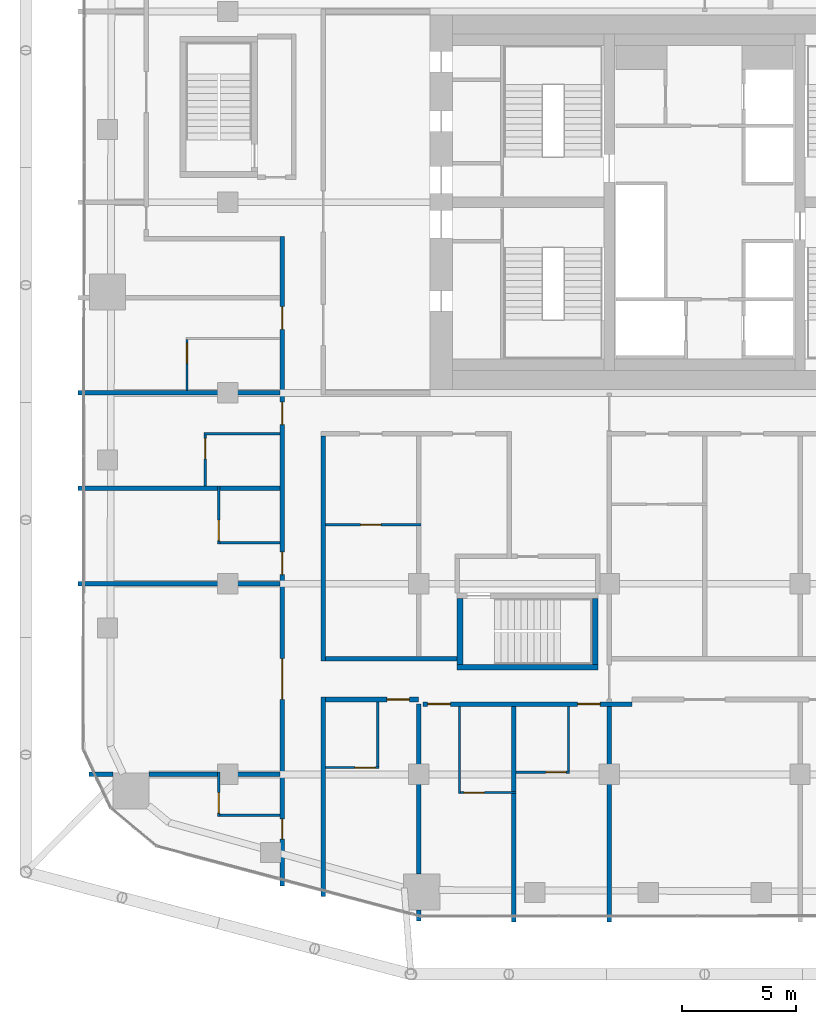
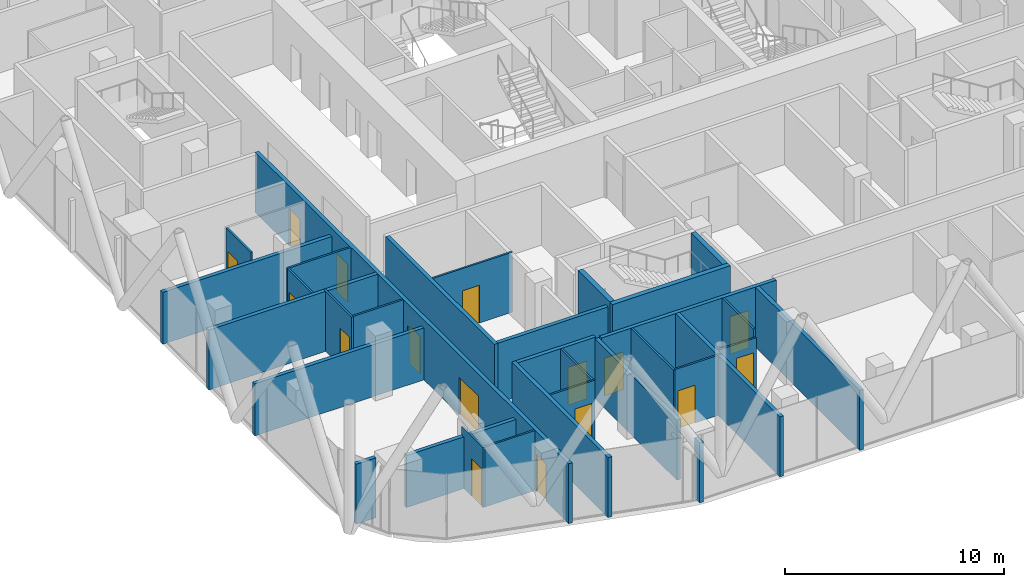
# One storey, part 24 of 33: 32 walls, 16 doors, 16 openings.
"""IFC4 building model written with IfcOpenShell, lengths in metres."""

from ifc_helpers import new_model, si_unit, direction, frame, frame_2d, origin, place, context, subcontext, project, spatial, rectangle, extrude, material, layer, layer_set, type_object, element, fill, save


model = new_model("IFC4")

# Units and contexts
model_context = context("Model", 3, precision=1e-05, world=origin(), true_north=direction((0.0, 1.0)))
body_context = subcontext(model_context, "Body", "Model", "MODEL_VIEW")
ifc_project = project(units=[si_unit("LENGTHUNIT", "METRE"), si_unit("AREAUNIT", "SQUARE_METRE"), si_unit("VOLUMEUNIT", "CUBIC_METRE"), si_unit("PLANEANGLEUNIT", "RADIAN"), si_unit("MASSUNIT", "GRAM", prefix="KILO")], contexts=[model_context])

# Site, building, storey
site_placement = place(None, origin())
site = spatial("IfcSite", under=ifc_project, at=site_placement, CompositionType="ELEMENT")
building_placement = place(site_placement, origin())
building = spatial("IfcBuilding", under=site, at=building_placement, Name="Marenta Gate Hotel Tower", CompositionType="ELEMENT")
storey_placement = place(building_placement, frame((0.0, 0.0, 122.89990234375)))
storey = spatial("IfcBuildingStorey", under=building, at=storey_placement, Name="L27", CompositionType="ELEMENT", Elevation=122.89990234375)

# Walls
ifc_material_1 = material(Name="Concrete blockwork", Category="masonry")
ifc_layer_1 = layer(ifc_material_1, 0.199951171875)
ifc_layer_set_1 = layer_set([ifc_layer_1], Name="Concrete blockwork")
wall_type_1 = type_object("IfcWallType", Name="Compartment wall 200 REI 180", PredefinedType="PARTITIONING", material=ifc_layer_set_1)
wall_1_placement = place(storey_placement, frame((-4.199951171875, -23.300048828125, 0.0), z_axis=(0.0, 0.0, 1.0), x_axis=(0.0, 1.0, 0.0)))
element("IfcWall", 1, at=wall_1_placement, inside=storey, type_object=wall_type_1, Name="L27-PTN-W070", PredefinedType="PARTITIONING", context=body_context, shape_type="SweptSolid", body=[
    extrude(rectangle(XDim=9.5, YDim=0.199951171875, at=frame_2d((4.75, 0.0))), origin(), (0.0, 0.0, 1.0), 3.340087890625),
])
ifc_material_2 = material(Name="Concrete C40", Category="concrete")
ifc_layer_2 = layer(ifc_material_2, 0.25)
ifc_layer_set_2 = layer_set([ifc_layer_2], Name="Concrete C40")
wall_type_2 = type_object("IfcWallType", Name="Remote stair enclosure wall 250 REI 180", PredefinedType="SHEAR", material=ifc_layer_set_2)
wall_2_placement = place(storey_placement, frame((-10.89990234375, -12.074951171875, 0.10009765625), z_axis=(0.0, 0.0, 1.0), x_axis=(1.0, 0.0, 0.0)))
element("IfcWall", 2, at=wall_2_placement, inside=storey, type_object=wall_type_2, Name="L27-RS-Z2-1-W1", PredefinedType="SHEAR", context=body_context, shape_type="SweptSolid", body=[
    extrude(rectangle(XDim=6.199951171875, YDim=0.25, at=frame_2d((3.10009765625, 0.0))), origin(), (0.0, 0.0, 1.0), 3.60009765625),
])
for number, where, z_axis, x_axis, name in (
    (3, (-10.77490234375, -11.949951171875, 0.10009765625), (0.0, 0.0, 1.0), (0.0, 1.0, 0.0), "L27-RS-Z2-1-W3"),
    (4, (-4.824951171875, -11.949951171875, 0.10009765625), (0.0, 0.0, 1.0), (0.0, 1.0, 0.0), "L27-RS-Z2-1-W4"),
):
    element("IfcWall", number, at=place(storey_placement, frame(where, z_axis=z_axis, x_axis=x_axis)), inside=storey, type_object=wall_type_2, Name=name, PredefinedType="SHEAR", context=body_context, shape_type="SweptSolid", body=[
        extrude(rectangle(XDim=2.89990234375, YDim=0.25, at=frame_2d((1.449951171875, 0.0))), origin(), (0.0, 0.0, 1.0), 3.60009765625),
    ])

# Wall, openings, doors
ifc_material_3 = material(Name="Gypsum board on steel stud", Category="steel")
ifc_layer_3 = layer(ifc_material_3, 0.199951171875)
ifc_layer_set_3 = layer_set([ifc_layer_3], Name="Gypsum board on steel stud")
wall_type_3 = type_object("IfcWallType", Name="Room corridor wall 200 EI 60", PredefinedType="PARTITIONING", material=ifc_layer_set_3)
wall_3_placement = place(storey_placement, frame((-12.39990234375, -13.699951171875, 0.0), z_axis=(0.0, 0.0, 1.0), x_axis=(1.0, 0.0, 0.0)))
wall_3 = element("IfcWall", 5, at=wall_3_placement, inside=storey, type_object=wall_type_3, Name="L27-PTN-W025", PredefinedType="PARTITIONING", context=body_context, shape_type="SweptSolid", body=[
    extrude(rectangle(XDim=9.199951171875, YDim=0.199951171875, at=frame_2d((4.60009765625, 0.0))), origin(), (0.0, 0.0, 1.0), 3.340087890625),
])
opening_1_placement = place(wall_3_placement, frame((0.199951171875, 0.0, 0.0)))
opening_1 = element("IfcOpeningElement", 6, at=opening_1_placement, cuts=wall_3, Name="Opening G09-43", PredefinedType="OPENING", context=body_context, shape_type="SweptSolid", body=[
    extrude(rectangle(XDim=1.0, YDim=2.10009765625, at=frame_2d((0.5, 1.050048828125))), frame((0.0, 0.10009765625, 0.0), z_axis=(0.0, -1.0, 0.0), x_axis=(1.0, 0.0, 0.0)), (0.0, 0.0, 1.0), 0.199951171875),
])
opening_2_placement = place(wall_3_placement, frame((6.800048828125, 0.0, 0.0)))
opening_2 = element("IfcOpeningElement", 7, at=opening_2_placement, cuts=wall_3, Name="Opening G09-45", PredefinedType="OPENING", context=body_context, shape_type="SweptSolid", body=[
    extrude(rectangle(XDim=1.0, YDim=2.10009765625, at=frame_2d((0.5, 1.050048828125))), frame((0.0, 0.10009765625, 0.0), z_axis=(0.0, -1.0, 0.0), x_axis=(1.0, 0.0, 0.0)), (0.0, 0.0, 1.0), 0.199951171875),
])
ifc_material_4 = material(Name="Timber door leaf", Category="wood")
door_type_1 = type_object("IfcDoorType", Name="Guest room door 1000x2100 EI 30", OperationType="NOTDEFINED", PredefinedType="DOOR", material=ifc_material_4)
door_1_placement = place(opening_1_placement, origin())
door_1 = element("IfcDoor", 8, at=door_1_placement, inside=storey, type_object=door_type_1, Name="L27-PD-D043", OperationType="SINGLE_SWING_RIGHT", OverallHeight=2.10009765625, OverallWidth=1.0, PredefinedType="DOOR", context=body_context, shape_type="SweptSolid", body=[
    extrude(rectangle(XDim=1.0, YDim=2.10009765625, at=frame_2d((0.5, 1.050048828125))), frame((0.0, 0.02490234375, 0.0), z_axis=(0.0, -1.0, 0.0), x_axis=(1.0, 0.0, 0.0)), (0.0, 0.0, 1.0), 0.050048828125),
])
fill(opening_1, door_1)
door_2_placement = place(opening_2_placement, origin())
door_2 = element("IfcDoor", 9, at=door_2_placement, inside=storey, type_object=door_type_1, Name="L27-PD-D045", OperationType="SINGLE_SWING_LEFT", OverallHeight=2.10009765625, OverallWidth=1.0, PredefinedType="DOOR", context=body_context, shape_type="SweptSolid", body=[
    extrude(rectangle(XDim=1.0, YDim=2.10009765625, at=frame_2d((0.5, 1.050048828125))), frame((0.0, 0.02490234375, 0.0), z_axis=(0.0, -1.0, 0.0), x_axis=(1.0, 0.0, 0.0)), (0.0, 0.0, 1.0), 0.050048828125),
])
fill(opening_2, door_2)

# Wall, opening, door
wall_4_placement = place(storey_placement, frame((-16.699951171875, -13.5, 0.0), z_axis=(0.0, 0.0, 1.0), x_axis=(1.0, 0.0, 0.0)))
wall_4 = element("IfcWall", 10, at=wall_4_placement, inside=storey, type_object=wall_type_3, Name="L27-PTN-W026", PredefinedType="PARTITIONING", context=body_context, shape_type="SweptSolid", body=[
    extrude(rectangle(XDim=4.099853515625, YDim=0.199951171875, at=frame_2d((2.0498046875, 0.0))), origin(), (0.0, 0.0, 1.0), 3.340087890625),
])
opening_3_placement = place(wall_4_placement, frame((2.699951171875, 0.0, 0.0)))
opening_3 = element("IfcOpeningElement", 11, at=opening_3_placement, cuts=wall_4, Name="Opening G09-41", PredefinedType="OPENING", context=body_context, shape_type="SweptSolid", body=[
    extrude(rectangle(XDim=1.0, YDim=2.10009765625, at=frame_2d((0.5, 1.050048828125))), frame((0.0, 0.10009765625, 0.0), z_axis=(0.0, -1.0, 0.0), x_axis=(1.0, 0.0, 0.0)), (0.0, 0.0, 1.0), 0.199951171875),
])
door_3_placement = place(opening_3_placement, origin())
door_3 = element("IfcDoor", 12, at=door_3_placement, inside=storey, type_object=door_type_1, Name="L27-PD-D041", OperationType="SINGLE_SWING_LEFT", OverallHeight=2.10009765625, OverallWidth=1.0, PredefinedType="DOOR", context=body_context, shape_type="SweptSolid", body=[
    extrude(rectangle(XDim=1.0, YDim=2.10009765625, at=frame_2d((0.5, 1.050048828125))), frame((0.0, 0.02490234375, 0.0), z_axis=(0.0, -1.0, 0.0), x_axis=(1.0, 0.0, 0.0)), (0.0, 0.0, 1.0), 0.050048828125),
])
fill(opening_3, door_3)

# Walls
wall_5_placement = place(storey_placement, frame((-16.699951171875, -11.699951171875, 0.0), z_axis=(0.0, 0.0, 1.0), x_axis=(1.0, 0.0, 0.0)))
element("IfcWall", 13, at=wall_5_placement, inside=storey, type_object=wall_type_3, Name="L27-PTN-W033", PredefinedType="PARTITIONING", context=body_context, shape_type="SweptSolid", body=[
    extrude(rectangle(XDim=5.800048828125, YDim=0.199951171875, at=frame_2d((2.89990234375, 0.0))), origin(), (0.0, 0.0, 1.0), 3.340087890625),
])
wall_6_placement = place(storey_placement, frame((-16.800048828125, -22.18603515625, 0.0), z_axis=(0.0, 0.0, 1.0), x_axis=(0.0, 1.0, 0.0)))
element("IfcWall", 14, at=wall_6_placement, inside=storey, type_object=wall_type_3, Name="L27-PTN-W097", PredefinedType="PARTITIONING", context=body_context, shape_type="SweptSolid", body=[
    extrude(rectangle(XDim=8.7861328125, YDim=0.199951171875, at=frame_2d((4.39306640625, 0.0))), origin(), (0.0, 0.0, 1.0), 3.340087890625),
])
wall_7_placement = place(storey_placement, frame((-16.800048828125, -11.800048828125, 0.0), z_axis=(0.0, 0.0, 1.0), x_axis=(0.0, 1.0, 0.0)))
element("IfcWall", 15, at=wall_7_placement, inside=storey, type_object=wall_type_3, Name="L27-PTN-W098", PredefinedType="PARTITIONING", context=body_context, shape_type="SweptSolid", body=[
    extrude(rectangle(XDim=9.900146484375, YDim=0.199951171875, at=frame_2d((4.9501953125, 0.0))), origin(), (0.0, 0.0, 1.0), 3.340087890625),
])

# Wall, openings, doors
wall_8_placement = place(storey_placement, frame((-18.60009765625, -21.7080078125, 0.0), z_axis=(0.0, 0.0, 1.0), x_axis=(0.0, 1.0, 0.0)))
wall_8 = element("IfcWall", 16, at=wall_8_placement, inside=storey, type_object=wall_type_3, Name="L27-PTN-W104", PredefinedType="PARTITIONING", context=body_context, shape_type="SweptSolid", body=[
    extrude(rectangle(XDim=28.60791015625, YDim=0.199951171875, at=frame_2d((14.303955078125, 0.0))), origin(), (0.0, 0.0, 1.0), 3.340087890625),
])
opening_4_placement = place(wall_8_placement, frame((2.053955078125, 0.0, 0.0)))
opening_4 = element("IfcOpeningElement", 17, at=opening_4_placement, cuts=wall_8, Name="Opening G09-54", PredefinedType="OPENING", context=body_context, shape_type="SweptSolid", body=[
    extrude(rectangle(XDim=0.89990234375, YDim=2.10009765625, at=frame_2d((0.449951171875, 1.050048828125))), frame((0.0, 0.10009765625, 0.0), z_axis=(0.0, -1.0, 0.0), x_axis=(1.0, 0.0, 0.0)), (0.0, 0.0, 1.0), 0.199951171875),
])
opening_5_placement = place(wall_8_placement, frame((8.2080078125, 0.0, 0.0)))
opening_5 = element("IfcOpeningElement", 18, at=opening_5_placement, cuts=wall_8, Name="Opening G09-56", PredefinedType="OPENING", context=body_context, shape_type="SweptSolid", body=[
    extrude(rectangle(XDim=1.800048828125, YDim=2.10009765625, at=frame_2d((0.89990234375, 1.050048828125))), frame((0.0, 0.10009765625, 0.0), z_axis=(0.0, -1.0, 0.0), x_axis=(1.0, 0.0, 0.0)), (0.0, 0.0, 1.0), 0.199951171875),
])
opening_6_placement = place(wall_8_placement, frame((13.7080078125, 0.0, 0.0)))
opening_6 = element("IfcOpeningElement", 19, at=opening_6_placement, cuts=wall_8, Name="Opening G09-57", PredefinedType="OPENING", context=body_context, shape_type="SweptSolid", body=[
    extrude(rectangle(XDim=1.0, YDim=2.10009765625, at=frame_2d((0.5, 1.050048828125))), frame((0.0, 0.10009765625, 0.0), z_axis=(0.0, -1.0, 0.0), x_axis=(1.0, 0.0, 0.0)), (0.0, 0.0, 1.0), 0.199951171875),
])
opening_7_placement = place(wall_8_placement, frame((20.30810546875, 0.0, 0.0)))
opening_7 = element("IfcOpeningElement", 20, at=opening_7_placement, cuts=wall_8, Name="Opening G09-59", PredefinedType="OPENING", context=body_context, shape_type="SweptSolid", body=[
    extrude(rectangle(XDim=1.0, YDim=2.10009765625, at=frame_2d((0.5, 1.050048828125))), frame((0.0, 0.10009765625, 0.0), z_axis=(0.0, -1.0, 0.0), x_axis=(1.0, 0.0, 0.0)), (0.0, 0.0, 1.0), 0.199951171875),
])
opening_8_placement = place(wall_8_placement, frame((24.508056640625, 0.0, 0.0)))
opening_8 = element("IfcOpeningElement", 21, at=opening_8_placement, cuts=wall_8, Name="Opening G09-61", PredefinedType="OPENING", context=body_context, shape_type="SweptSolid", body=[
    extrude(rectangle(XDim=1.0, YDim=2.10009765625, at=frame_2d((0.5, 1.050048828125))), frame((0.0, 0.10009765625, 0.0), z_axis=(0.0, -1.0, 0.0), x_axis=(1.0, 0.0, 0.0)), (0.0, 0.0, 1.0), 0.199951171875),
])
door_4_placement = place(opening_6_placement, origin())
door_4 = element("IfcDoor", 22, at=door_4_placement, inside=storey, type_object=door_type_1, Name="L27-PD-D057", OperationType="SINGLE_SWING_RIGHT", OverallHeight=2.10009765625, OverallWidth=1.0, PredefinedType="DOOR", context=body_context, shape_type="SweptSolid", body=[
    extrude(rectangle(XDim=1.0, YDim=2.10009765625, at=frame_2d((0.5, 1.050048828125))), frame((0.0, 0.02490234375, 0.0), z_axis=(0.0, -1.0, 0.0), x_axis=(1.0, 0.0, 0.0)), (0.0, 0.0, 1.0), 0.050048828125),
])
fill(opening_6, door_4)
door_5_placement = place(opening_7_placement, origin())
door_5 = element("IfcDoor", 23, at=door_5_placement, inside=storey, type_object=door_type_1, Name="L27-PD-D059", OperationType="SINGLE_SWING_RIGHT", OverallHeight=2.10009765625, OverallWidth=1.0, PredefinedType="DOOR", context=body_context, shape_type="SweptSolid", body=[
    extrude(rectangle(XDim=1.0, YDim=2.10009765625, at=frame_2d((0.5, 1.050048828125))), frame((0.0, 0.02490234375, 0.0), z_axis=(0.0, -1.0, 0.0), x_axis=(1.0, 0.0, 0.0)), (0.0, 0.0, 1.0), 0.050048828125),
])
fill(opening_7, door_5)
door_6_placement = place(opening_8_placement, origin())
door_6 = element("IfcDoor", 24, at=door_6_placement, inside=storey, type_object=door_type_1, Name="L27-PD-D061", OperationType="SINGLE_SWING_RIGHT", OverallHeight=2.10009765625, OverallWidth=1.0, PredefinedType="DOOR", context=body_context, shape_type="SweptSolid", body=[
    extrude(rectangle(XDim=1.0, YDim=2.10009765625, at=frame_2d((0.5, 1.050048828125))), frame((0.0, 0.02490234375, 0.0), z_axis=(0.0, -1.0, 0.0), x_axis=(1.0, 0.0, 0.0)), (0.0, 0.0, 1.0), 0.050048828125),
])
fill(opening_8, door_6)
ifc_material_5 = material(Name="Timber door leaf", Category="wood")
door_type_2 = type_object("IfcDoorType", Name="Guest room door 900x2100 EI 30", OperationType="NOTDEFINED", PredefinedType="DOOR", material=ifc_material_5)
door_7_placement = place(opening_4_placement, origin())
door_7 = element("IfcDoor", 25, at=door_7_placement, inside=storey, type_object=door_type_2, Name="L27-PD-D054", OperationType="SINGLE_SWING_LEFT", OverallHeight=2.10009765625, OverallWidth=0.89990234375, PredefinedType="DOOR", context=body_context, shape_type="SweptSolid", body=[
    extrude(rectangle(XDim=0.89990234375, YDim=2.10009765625, at=frame_2d((0.449951171875, 1.050048828125))), frame((0.0, 0.02490234375, 0.0), z_axis=(0.0, -1.0, 0.0), x_axis=(1.0, 0.0, 0.0)), (0.0, 0.0, 1.0), 0.050048828125),
])
fill(opening_4, door_7)
ifc_material_6 = material(Name="Timber door leaf", Category="wood")
door_type_3 = type_object("IfcDoorType", Name="Room amenity door 1800x2100 EI 30", OperationType="DOUBLE_DOOR_SINGLE_SWING", PredefinedType="DOOR", material=ifc_material_6)
door_8_placement = place(opening_5_placement, origin())
door_8 = element("IfcDoor", 26, at=door_8_placement, inside=storey, type_object=door_type_3, Name="L27-PD-D056", OperationType="DOUBLE_DOOR_SINGLE_SWING", OverallHeight=2.10009765625, OverallWidth=1.800048828125, PredefinedType="DOOR", context=body_context, shape_type="SweptSolid", body=[
    extrude(rectangle(XDim=1.800048828125, YDim=2.10009765625, at=frame_2d((0.89990234375, 1.050048828125))), frame((0.0, 0.02490234375, 0.0), z_axis=(0.0, -1.0, 0.0), x_axis=(1.0, 0.0, 0.0)), (0.0, 0.0, 1.0), 0.050048828125),
])
fill(opening_5, door_8)

# Wall
ifc_material_7 = material(Name="Gypsum board on steel stud", Category="steel")
ifc_layer_4 = layer(ifc_material_7, 0.10009765625)
ifc_layer_set_4 = layer_set([ifc_layer_4], Name="Gypsum board on steel stud")
wall_type_4 = type_object("IfcWallType", Name="Room partition 100", PredefinedType="PARTITIONING", material=ifc_layer_set_4)
wall_9_placement = place(storey_placement, frame((-21.35009765625, -18.60009765625, 0.0), z_axis=(0.0, 0.0, 1.0), x_axis=(1.0, 0.0, 0.0)))
element("IfcWall", 27, at=wall_9_placement, inside=storey, type_object=wall_type_4, Name="L27-PTN-W011", PredefinedType="PARTITIONING", context=body_context, shape_type="SweptSolid", body=[
    extrude(rectangle(XDim=2.650146484375, YDim=0.10009765625, at=frame_2d((1.3251953125, 0.0))), origin(), (0.0, 0.0, 1.0), 3.340087890625),
])

# Wall, opening, door
wall_10_placement = place(storey_placement, frame((-10.75, -17.60009765625, 0.0), z_axis=(0.0, 0.0, 1.0), x_axis=(1.0, 0.0, 0.0)))
wall_10 = element("IfcWall", 28, at=wall_10_placement, inside=storey, type_object=wall_type_4, Name="L27-PTN-W012", PredefinedType="PARTITIONING", context=body_context, shape_type="SweptSolid", body=[
    extrude(rectangle(XDim=2.449951171875, YDim=0.10009765625, at=frame_2d((1.22509765625, 0.0))), origin(), (0.0, 0.0, 1.0), 3.340087890625),
])
opening_9_placement = place(wall_10_placement, frame((0.14990234375, 0.0, 0.0)))
opening_9 = element("IfcOpeningElement", 29, at=opening_9_placement, cuts=wall_10, Name="Opening G09-44", PredefinedType="OPENING", context=body_context, shape_type="SweptSolid", body=[
    extrude(rectangle(XDim=0.89990234375, YDim=2.10009765625, at=frame_2d((0.449951171875, 1.050048828125))), frame((0.0, 0.050048828125, 0.0), z_axis=(0.0, -1.0, 0.0), x_axis=(1.0, 0.0, 0.0)), (0.0, 0.0, 1.0), 0.10009765625),
])
ifc_material_8 = material(Name="Timber door leaf", Category="wood")
door_type_4 = type_object("IfcDoorType", Name="Guest bathroom door 900x2100", OperationType="NOTDEFINED", PredefinedType="DOOR", material=ifc_material_8)
door_9_placement = place(opening_9_placement, origin())
door_9 = element("IfcDoor", 30, at=door_9_placement, inside=storey, type_object=door_type_4, Name="L27-PD-D044", OperationType="SINGLE_SWING_LEFT", OverallHeight=2.10009765625, OverallWidth=0.89990234375, PredefinedType="DOOR", context=body_context, shape_type="SweptSolid", body=[
    extrude(rectangle(XDim=0.89990234375, YDim=2.10009765625, at=frame_2d((0.449951171875, 1.050048828125))), frame((0.0, 0.02490234375, 0.0), z_axis=(0.0, -1.0, 0.0), x_axis=(1.0, 0.0, 0.0)), (0.0, 0.0, 1.0), 0.050048828125),
])
fill(opening_9, door_9)

wall_11_placement = place(storey_placement, frame((-8.300048828125, -16.699951171875, 0.0), z_axis=(0.0, 0.0, 1.0), x_axis=(1.0, 0.0, 0.0)))
wall_11 = element("IfcWall", 31, at=wall_11_placement, inside=storey, type_object=wall_type_4, Name="L27-PTN-W019", PredefinedType="PARTITIONING", context=body_context, shape_type="SweptSolid", body=[
    extrude(rectangle(XDim=2.35009765625, YDim=0.10009765625, at=frame_2d((1.175048828125, 0.0))), origin(), (0.0, 0.0, 1.0), 2.89013671875),
])
opening_10_placement = place(wall_11_placement, frame((1.300048828125, 0.0, 0.0)))
opening_10 = element("IfcOpeningElement", 32, at=opening_10_placement, cuts=wall_11, Name="Opening G09-46", PredefinedType="OPENING", context=body_context, shape_type="SweptSolid", body=[
    extrude(rectangle(XDim=0.89990234375, YDim=2.10009765625, at=frame_2d((0.449951171875, 1.050048828125))), frame((0.0, 0.050048828125, 0.0), z_axis=(0.0, -1.0, 0.0), x_axis=(1.0, 0.0, 0.0)), (0.0, 0.0, 1.0), 0.10009765625),
])
door_10_placement = place(opening_10_placement, origin())
door_10 = element("IfcDoor", 33, at=door_10_placement, inside=storey, type_object=door_type_4, Name="L27-PD-D046", OperationType="SINGLE_SWING_RIGHT", OverallHeight=2.10009765625, OverallWidth=0.89990234375, PredefinedType="DOOR", context=body_context, shape_type="SweptSolid", body=[
    extrude(rectangle(XDim=0.89990234375, YDim=2.10009765625, at=frame_2d((0.449951171875, 1.050048828125))), frame((0.0, 0.02490234375, 0.0), z_axis=(0.0, -1.0, 0.0), x_axis=(1.0, 0.0, 0.0)), (0.0, 0.0, 1.0), 0.050048828125),
])
fill(opening_10, door_10)

wall_12_placement = place(storey_placement, frame((-16.699951171875, -16.5, 0.0), z_axis=(0.0, 0.0, 1.0), x_axis=(1.0, 0.0, 0.0)))
wall_12 = element("IfcWall", 34, at=wall_12_placement, inside=storey, type_object=wall_type_4, Name="L27-PTN-W020", PredefinedType="PARTITIONING", context=body_context, shape_type="SweptSolid", body=[
    extrude(rectangle(XDim=2.349853515625, YDim=0.10009765625, at=frame_2d((1.1748046875, 0.0))), origin(), (0.0, 0.0, 1.0), 3.340087890625),
])
opening_11_placement = place(wall_12_placement, frame((1.300048828125, 0.0, 0.0)))
opening_11 = element("IfcOpeningElement", 35, at=opening_11_placement, cuts=wall_12, Name="Opening G09-42", PredefinedType="OPENING", context=body_context, shape_type="SweptSolid", body=[
    extrude(rectangle(XDim=0.89990234375, YDim=2.10009765625, at=frame_2d((0.449951171875, 1.050048828125))), frame((0.0, 0.050048828125, 0.0), z_axis=(0.0, -1.0, 0.0), x_axis=(1.0, 0.0, 0.0)), (0.0, 0.0, 1.0), 0.10009765625),
])
door_11_placement = place(opening_11_placement, origin())
door_11 = element("IfcDoor", 36, at=door_11_placement, inside=storey, type_object=door_type_4, Name="L27-PD-D042", OperationType="SINGLE_SWING_RIGHT", OverallHeight=2.10009765625, OverallWidth=0.89990234375, PredefinedType="DOOR", context=body_context, shape_type="SweptSolid", body=[
    extrude(rectangle(XDim=0.89990234375, YDim=2.10009765625, at=frame_2d((0.449951171875, 1.050048828125))), frame((0.0, 0.02490234375, 0.0), z_axis=(0.0, -1.0, 0.0), x_axis=(1.0, 0.0, 0.0)), (0.0, 0.0, 1.0), 0.050048828125),
])
fill(opening_11, door_11)

# Wall
wall_13_placement = place(storey_placement, frame((-21.35009765625, -6.60009765625, 0.0), z_axis=(0.0, 0.0, 1.0), x_axis=(1.0, 0.0, 0.0)))
element("IfcWall", 37, at=wall_13_placement, inside=storey, type_object=wall_type_4, Name="L27-PTN-W048", PredefinedType="PARTITIONING", context=body_context, shape_type="SweptSolid", body=[
    extrude(rectangle(XDim=2.650146484375, YDim=0.10009765625, at=frame_2d((1.3251953125, 0.0))), origin(), (0.0, 0.0, 1.0), 3.340087890625),
])

# Wall, opening, door
wall_14_placement = place(storey_placement, frame((-16.699951171875, -5.800048828125, 0.0), z_axis=(0.0, 0.0, 1.0), x_axis=(1.0, 0.0, 0.0)))
wall_14 = element("IfcWall", 38, at=wall_14_placement, inside=storey, type_object=wall_type_4, Name="L27-PTN-W050", PredefinedType="PARTITIONING", context=body_context, shape_type="SweptSolid", body=[
    extrude(rectangle(XDim=4.199951171875, YDim=0.10009765625, at=frame_2d((2.10009765625, 0.0))), origin(), (0.0, 0.0, 1.0), 3.340087890625),
])
opening_12_placement = place(wall_14_placement, frame((1.550048828125, 0.0, 0.0)))
opening_12 = element("IfcOpeningElement", 39, at=opening_12_placement, cuts=wall_14, Name="Opening G09-02", PredefinedType="OPENING", context=body_context, shape_type="SweptSolid", body=[
    extrude(rectangle(XDim=0.89990234375, YDim=2.10009765625, at=frame_2d((0.449951171875, 1.050048828125))), frame((0.0, 0.050048828125, 0.0), z_axis=(0.0, -1.0, 0.0), x_axis=(1.0, 0.0, 0.0)), (0.0, 0.0, 1.0), 0.10009765625),
])
ifc_material_9 = material(Name="Timber door leaf", Category="wood")
door_type_5 = type_object("IfcDoorType", Name="Room inner door 900x2100", OperationType="NOTDEFINED", PredefinedType="DOOR", material=ifc_material_9)
door_12_placement = place(opening_12_placement, origin())
door_12 = element("IfcDoor", 40, at=door_12_placement, inside=storey, type_object=door_type_5, Name="L27-PD-D002", OperationType="SINGLE_SWING_RIGHT", OverallHeight=2.10009765625, OverallWidth=0.89990234375, PredefinedType="DOOR", context=body_context, shape_type="SweptSolid", body=[
    extrude(rectangle(XDim=0.89990234375, YDim=2.10009765625, at=frame_2d((0.449951171875, 1.050048828125))), frame((0.0, 0.02490234375, 0.0), z_axis=(0.0, -1.0, 0.0), x_axis=(1.0, 0.0, 0.0)), (0.0, 0.0, 1.0), 0.050048828125),
])
fill(opening_12, door_12)

# Walls
wall_15_placement = place(storey_placement, frame((-22.050048828125, -1.800048828125, 0.0), z_axis=(0.0, 0.0, 1.0), x_axis=(1.0, 0.0, 0.0)))
element("IfcWall", 41, at=wall_15_placement, inside=storey, type_object=wall_type_4, Name="L27-PTN-W058", PredefinedType="PARTITIONING", context=body_context, shape_type="SweptSolid", body=[
    extrude(rectangle(XDim=3.35009765625, YDim=0.10009765625, at=frame_2d((1.675048828125, 0.0))), origin(), (0.0, 0.0, 1.0), 3.340087890625),
])
wall_16_placement = place(storey_placement, frame((-6.0, -16.64990234375, 0.0), z_axis=(0.0, 0.0, 1.0), x_axis=(0.0, 1.0, 0.0)))
element("IfcWall", 42, at=wall_16_placement, inside=storey, type_object=wall_type_4, Name="L27-PTN-W076", PredefinedType="PARTITIONING", context=body_context, shape_type="SweptSolid", body=[
    extrude(rectangle(XDim=2.849853515625, YDim=0.10009765625, at=frame_2d((1.4248046875, 0.0))), origin(), (0.0, 0.0, 1.0), 3.340087890625),
])
wall_17_placement = place(storey_placement, frame((-10.800048828125, -17.64990234375, 0.0), z_axis=(0.0, 0.0, 1.0), x_axis=(0.0, 1.0, 0.0)))
element("IfcWall", 43, at=wall_17_placement, inside=storey, type_object=wall_type_4, Name="L27-PTN-W087", PredefinedType="PARTITIONING", context=body_context, shape_type="SweptSolid", body=[
    extrude(rectangle(XDim=3.849853515625, YDim=0.10009765625, at=frame_2d((1.9248046875, 0.0))), origin(), (0.0, 0.0, 1.0), 3.340087890625),
])
wall_18_placement = place(storey_placement, frame((-14.39990234375, -16.449951171875, 0.0), z_axis=(0.0, 0.0, 1.0), x_axis=(0.0, 1.0, 0.0)))
element("IfcWall", 44, at=wall_18_placement, inside=storey, type_object=wall_type_4, Name="L27-PTN-W094", PredefinedType="PARTITIONING", context=body_context, shape_type="SweptSolid", body=[
    extrude(rectangle(XDim=2.849853515625, YDim=0.10009765625, at=frame_2d((1.4248046875, 0.0))), origin(), (0.0, 0.0, 1.0), 3.340087890625),
])

# Wall, opening, door
wall_19_placement = place(storey_placement, frame((-21.39990234375, -18.64990234375, 0.0), z_axis=(0.0, 0.0, 1.0), x_axis=(0.0, 1.0, 0.0)))
wall_19 = element("IfcWall", 45, at=wall_19_placement, inside=storey, type_object=wall_type_4, Name="L27-PTN-W110", PredefinedType="PARTITIONING", context=body_context, shape_type="SweptSolid", body=[
    extrude(rectangle(XDim=1.949951171875, YDim=0.10009765625, at=frame_2d((0.97509765625, 0.0))), origin(), (0.0, 0.0, 1.0), 3.340087890625),
])
opening_13_placement = place(wall_19_placement, frame((0.14990234375, 0.0, 0.0)))
opening_13 = element("IfcOpeningElement", 46, at=opening_13_placement, cuts=wall_19, Name="Opening G09-55", PredefinedType="OPENING", context=body_context, shape_type="SweptSolid", body=[
    extrude(rectangle(XDim=0.89990234375, YDim=2.10009765625, at=frame_2d((0.449951171875, 1.050048828125))), frame((0.0, 0.050048828125, 0.0), z_axis=(0.0, -1.0, 0.0), x_axis=(1.0, 0.0, 0.0)), (0.0, 0.0, 1.0), 0.10009765625),
])
door_13_placement = place(opening_13_placement, origin())
door_13 = element("IfcDoor", 47, at=door_13_placement, inside=storey, type_object=door_type_4, Name="L27-PD-D055", OperationType="SINGLE_SWING_RIGHT", OverallHeight=2.10009765625, OverallWidth=0.89990234375, PredefinedType="DOOR", context=body_context, shape_type="SweptSolid", body=[
    extrude(rectangle(XDim=0.89990234375, YDim=2.10009765625, at=frame_2d((0.449951171875, 1.050048828125))), frame((0.0, 0.02490234375, 0.0), z_axis=(0.0, -1.0, 0.0), x_axis=(1.0, 0.0, 0.0)), (0.0, 0.0, 1.0), 0.050048828125),
])
fill(opening_13, door_13)

wall_20_placement = place(storey_placement, frame((-21.39990234375, -6.64990234375, 0.0), z_axis=(0.0, 0.0, 1.0), x_axis=(0.0, 1.0, 0.0)))
wall_20 = element("IfcWall", 48, at=wall_20_placement, inside=storey, type_object=wall_type_4, Name="L27-PTN-W111", PredefinedType="PARTITIONING", context=body_context, shape_type="SweptSolid", body=[
    extrude(rectangle(XDim=2.5498046875, YDim=0.10009765625, at=frame_2d((1.27490234375, 0.0))), origin(), (0.0, 0.0, 1.0), 3.340087890625),
])
opening_14_placement = place(wall_20_placement, frame((0.14990234375, 0.0, 0.0)))
opening_14 = element("IfcOpeningElement", 49, at=opening_14_placement, cuts=wall_20, Name="Opening G09-58", PredefinedType="OPENING", context=body_context, shape_type="SweptSolid", body=[
    extrude(rectangle(XDim=0.89990234375, YDim=2.10009765625, at=frame_2d((0.449951171875, 1.050048828125))), frame((0.0, 0.050048828125, 0.0), z_axis=(0.0, -1.0, 0.0), x_axis=(1.0, 0.0, 0.0)), (0.0, 0.0, 1.0), 0.10009765625),
])
door_14_placement = place(opening_14_placement, origin())
door_14 = element("IfcDoor", 50, at=door_14_placement, inside=storey, type_object=door_type_4, Name="L27-PD-D058", OperationType="SINGLE_SWING_RIGHT", OverallHeight=2.10009765625, OverallWidth=0.89990234375, PredefinedType="DOOR", context=body_context, shape_type="SweptSolid", body=[
    extrude(rectangle(XDim=0.89990234375, YDim=2.10009765625, at=frame_2d((0.449951171875, 1.050048828125))), frame((0.0, 0.02490234375, 0.0), z_axis=(0.0, -1.0, 0.0), x_axis=(1.0, 0.0, 0.0)), (0.0, 0.0, 1.0), 0.050048828125),
])
fill(opening_14, door_14)

wall_21_placement = place(storey_placement, frame((-22.0, -4.10009765625, 0.0), z_axis=(0.0, 0.0, 1.0), x_axis=(0.0, 1.0, 0.0)))
wall_21 = element("IfcWall", 51, at=wall_21_placement, inside=storey, type_object=wall_type_4, Name="L27-PTN-W113", PredefinedType="PARTITIONING", context=body_context, shape_type="SweptSolid", body=[
    extrude(rectangle(XDim=2.25, YDim=0.10009765625, at=frame_2d((1.125, 0.0))), origin(), (0.0, 0.0, 1.0), 3.340087890625),
])
opening_15_placement = place(wall_21_placement, frame((1.199951171875, 0.0, 0.0)))
opening_15 = element("IfcOpeningElement", 52, at=opening_15_placement, cuts=wall_21, Name="Opening G09-60", PredefinedType="OPENING", context=body_context, shape_type="SweptSolid", body=[
    extrude(rectangle(XDim=0.89990234375, YDim=2.10009765625, at=frame_2d((0.449951171875, 1.050048828125))), frame((0.0, 0.050048828125, 0.0), z_axis=(0.0, -1.0, 0.0), x_axis=(1.0, 0.0, 0.0)), (0.0, 0.0, 1.0), 0.10009765625),
])
door_15_placement = place(opening_15_placement, origin())
door_15 = element("IfcDoor", 53, at=door_15_placement, inside=storey, type_object=door_type_4, Name="L27-PD-D060", OperationType="SINGLE_SWING_LEFT", OverallHeight=2.10009765625, OverallWidth=0.89990234375, PredefinedType="DOOR", context=body_context, shape_type="SweptSolid", body=[
    extrude(rectangle(XDim=0.89990234375, YDim=2.10009765625, at=frame_2d((0.449951171875, 1.050048828125))), frame((0.0, 0.02490234375, 0.0), z_axis=(0.0, -1.0, 0.0), x_axis=(1.0, 0.0, 0.0)), (0.0, 0.0, 1.0), 0.050048828125),
])
fill(opening_15, door_15)

wall_22_placement = place(storey_placement, frame((-22.800048828125, 0.10009765625, 0.0), z_axis=(0.0, 0.0, 1.0), x_axis=(0.0, 1.0, 0.0)))
wall_22 = element("IfcWall", 54, at=wall_22_placement, inside=storey, type_object=wall_type_4, Name="L27-PTN-W122", PredefinedType="PARTITIONING", context=body_context, shape_type="SweptSolid", body=[
    extrude(rectangle(XDim=2.25, YDim=0.10009765625, at=frame_2d((1.125, 0.0))), origin(), (0.0, 0.0, 1.0), 3.340087890625),
])
opening_16_placement = place(wall_22_placement, frame((1.199951171875, 0.0, 0.0)))
opening_16 = element("IfcOpeningElement", 55, at=opening_16_placement, cuts=wall_22, Name="Opening G09-62", PredefinedType="OPENING", context=body_context, shape_type="SweptSolid", body=[
    extrude(rectangle(XDim=0.89990234375, YDim=2.10009765625, at=frame_2d((0.449951171875, 1.050048828125))), frame((0.0, 0.050048828125, 0.0), z_axis=(0.0, -1.0, 0.0), x_axis=(1.0, 0.0, 0.0)), (0.0, 0.0, 1.0), 0.10009765625),
])
door_16_placement = place(opening_16_placement, origin())
door_16 = element("IfcDoor", 56, at=door_16_placement, inside=storey, type_object=door_type_4, Name="L27-PD-D062", OperationType="SINGLE_SWING_LEFT", OverallHeight=2.10009765625, OverallWidth=0.89990234375, PredefinedType="DOOR", context=body_context, shape_type="SweptSolid", body=[
    extrude(rectangle(XDim=0.89990234375, YDim=2.10009765625, at=frame_2d((0.449951171875, 1.050048828125))), frame((0.0, 0.02490234375, 0.0), z_axis=(0.0, -1.0, 0.0), x_axis=(1.0, 0.0, 0.0)), (0.0, 0.0, 1.0), 0.050048828125),
])
fill(opening_16, door_16)

# Walls
ifc_material_10 = material(Name="Gypsum board on steel stud", Category="steel")
ifc_layer_5 = layer(ifc_material_10, 0.199951171875)
ifc_layer_set_5 = layer_set([ifc_layer_5], Name="Gypsum board on steel stud")
wall_type_5 = type_object("IfcWallType", Name="Room party wall 200 EI 60", PredefinedType="PARTITIONING", material=ifc_layer_set_5)
wall_23_placement = place(storey_placement, frame((-27.112060546875, -16.800048828125, 0.0), z_axis=(0.0, 0.0, 1.0), x_axis=(1.0, 0.0, 0.0)))
element("IfcWall", 57, at=wall_23_placement, inside=storey, type_object=wall_type_5, Name="L27-PTN-W017", PredefinedType="PARTITIONING", context=body_context, shape_type="SweptSolid", body=[
    extrude(rectangle(XDim=1.049072265625, YDim=0.199951171875, at=frame_2d((0.5244140625, 0.0))), origin(), (0.0, 0.0, 1.0), 3.340087890625),
])
wall_24_placement = place(storey_placement, frame((-24.462890625, -16.800048828125, 0.0), z_axis=(0.0, 0.0, 1.0), x_axis=(1.0, 0.0, 0.0)))
element("IfcWall", 58, at=wall_24_placement, inside=storey, type_object=wall_type_5, Name="L27-PTN-W130", PredefinedType="PARTITIONING", context=body_context, shape_type="SweptSolid", body=[
    extrude(rectangle(XDim=5.762939453125, YDim=0.199951171875, at=frame_2d((2.88134765625, 0.0))), origin(), (0.0, 0.0, 1.0), 2.89013671875),
])
wall_25_placement = place(storey_placement, frame((-27.60009765625, -8.39990234375, 0.0), z_axis=(0.0, 0.0, 1.0), x_axis=(1.0, 0.0, 0.0)))
element("IfcWall", 59, at=wall_25_placement, inside=storey, type_object=wall_type_5, Name="L27-PTN-W041", PredefinedType="PARTITIONING", context=body_context, shape_type="SweptSolid", body=[
    extrude(rectangle(XDim=8.900146484375, YDim=0.199951171875, at=frame_2d((4.4501953125, 0.0))), origin(), (0.0, 0.0, 1.0), 2.89013671875),
])
wall_26_placement = place(storey_placement, frame((-27.60009765625, -4.199951171875, 0.0), z_axis=(0.0, 0.0, 1.0), x_axis=(1.0, 0.0, 0.0)))
element("IfcWall", 60, at=wall_26_placement, inside=storey, type_object=wall_type_5, Name="L27-PTN-W056", PredefinedType="PARTITIONING", context=body_context, shape_type="SweptSolid", body=[
    extrude(rectangle(XDim=8.900146484375, YDim=0.199951171875, at=frame_2d((4.4501953125, 0.0))), origin(), (0.0, 0.0, 1.0), 3.340087890625),
])
wall_27_placement = place(storey_placement, frame((-27.60009765625, 0.0, 0.0), z_axis=(0.0, 0.0, 1.0), x_axis=(1.0, 0.0, 0.0)))
element("IfcWall", 61, at=wall_27_placement, inside=storey, type_object=wall_type_5, Name="L27-PTN-W065", PredefinedType="PARTITIONING", context=body_context, shape_type="SweptSolid", body=[
    extrude(rectangle(XDim=8.900146484375, YDim=0.199951171875, at=frame_2d((4.4501953125, 0.0))), origin(), (0.0, 0.0, 1.0), 2.89013671875),
])
wall_28_placement = place(storey_placement, frame((-8.39990234375, -23.300048828125, 0.0), z_axis=(0.0, 0.0, 1.0), x_axis=(0.0, 1.0, 0.0)))
element("IfcWall", 62, at=wall_28_placement, inside=storey, type_object=wall_type_5, Name="L27-PTN-W080", PredefinedType="PARTITIONING", context=body_context, shape_type="SweptSolid", body=[
    extrude(rectangle(XDim=9.5, YDim=0.199951171875, at=frame_2d((4.75, 0.0))), origin(), (0.0, 0.0, 1.0), 3.340087890625),
])
wall_29_placement = place(storey_placement, frame((-12.60009765625, -23.26611328125, 0.0), z_axis=(0.0, 0.0, 1.0), x_axis=(0.0, 1.0, 0.0)))
element("IfcWall", 63, at=wall_29_placement, inside=storey, type_object=wall_type_5, Name="L27-PTN-W090", PredefinedType="PARTITIONING", context=body_context, shape_type="SweptSolid", body=[
    extrude(rectangle(XDim=0.4912109375, YDim=0.199951171875, at=frame_2d((0.24560546875, 0.0))), origin(), (0.0, 0.0, 1.0), 3.340087890625),
])
wall_30_placement = place(storey_placement, frame((-12.60009765625, -21.175048828125, 0.0), z_axis=(0.0, 0.0, 1.0), x_axis=(0.0, 1.0, 0.0)))
element("IfcWall", 64, at=wall_30_placement, inside=storey, type_object=wall_type_5, Name="L27-PTN-W135", PredefinedType="PARTITIONING", context=body_context, shape_type="SweptSolid", body=[
    extrude(rectangle(XDim=7.47509765625, YDim=0.199951171875, at=frame_2d((3.737548828125, 0.0))), origin(), (0.0, 0.0, 1.0), 3.340087890625),
])

save(model, "model.ifc")
